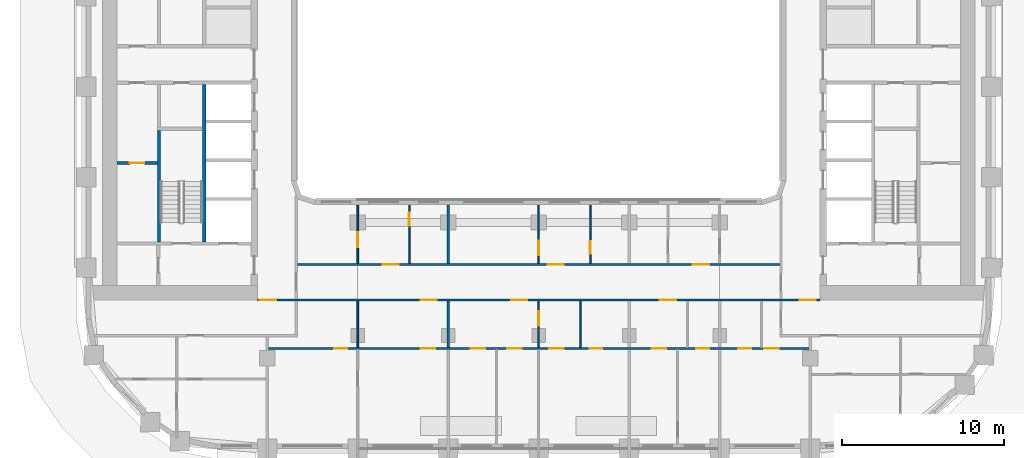
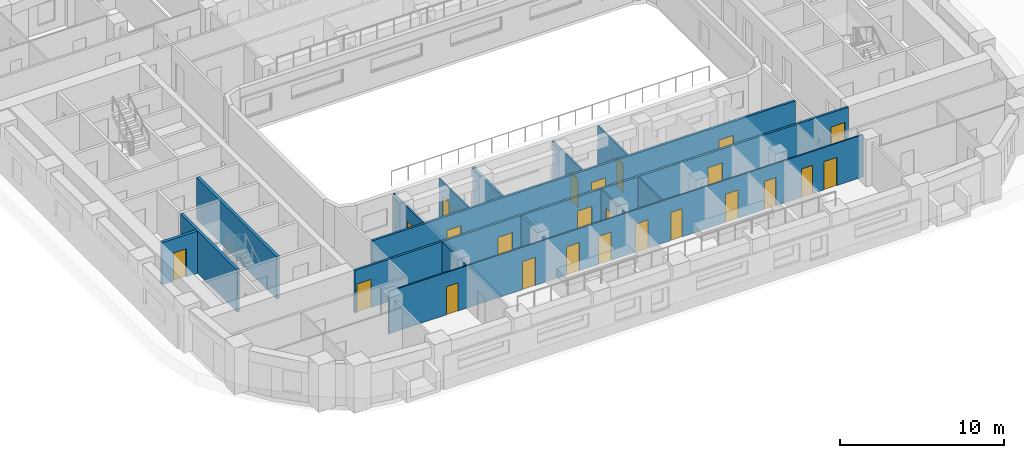
# One storey, part 4 of 18: 24 doors, 15 walls, 24 openings.
"""IFC4 building model written with IfcOpenShell, lengths in metres."""

from ifc_helpers import new_model, si_unit, direction, frame, frame_2d, origin, place, context, subcontext, project, spatial, rectangle, extrude, material, layer, layer_set, type_object, element, fill, save


model = new_model("IFC4")

# Units and contexts
model_context = context("Model", 3, precision=1e-05, world=origin(), true_north=direction((0.0, 1.0)))
body_context = subcontext(model_context, "Body", "Model", "MODEL_VIEW")
ifc_project = project(units=[si_unit("LENGTHUNIT", "METRE"), si_unit("AREAUNIT", "SQUARE_METRE"), si_unit("VOLUMEUNIT", "CUBIC_METRE"), si_unit("PLANEANGLEUNIT", "RADIAN"), si_unit("MASSUNIT", "GRAM", prefix="KILO")], contexts=[model_context])

# Site, building, storey
site_placement = place(None, origin())
site = spatial("IfcSite", under=ifc_project, at=site_placement, CompositionType="ELEMENT")
building_placement = place(site_placement, origin())
building = spatial("IfcBuilding", under=site, at=building_placement, Name="Kiln Ring Residences", CompositionType="ELEMENT")
storey_placement = place(building_placement, frame((0.0, 0.0, 121.800048828125)))
storey = spatial("IfcBuildingStorey", under=building, at=storey_placement, Name="L31", CompositionType="ELEMENT", Elevation=121.800048828125)

# Wall, opening, door
ifc_material_1 = material(Name="Gypsum board on steel studs", Category="steel")
ifc_layer_1 = layer(ifc_material_1, 0.199951171875)
ifc_layer_set_1 = layer_set([ifc_layer_1], Name="CORE-PARTITION-200")
wall_type_1 = type_object("IfcWallType", Name="CORE-PARTITION-200", PredefinedType="PARTITIONING", material=ifc_layer_set_1)
wall_1_placement = place(storey_placement, frame((-23.60009765625, -4.72509765625, 0.0), z_axis=(0.0, 0.0, 1.0), x_axis=(-1.0, 0.0, 0.0)))
wall_1 = element("IfcWall", 1, at=wall_1_placement, inside=storey, type_object=wall_type_1, Name="Core partition west L31 5", PredefinedType="PARTITIONING", context=body_context, shape_type="SweptSolid", body=[
    extrude(rectangle(XDim=2.5, YDim=0.199951171875, at=frame_2d((1.25, 0.0))), origin(), (0.0, 0.0, 1.0), 3.14990234375),
])
opening_1_placement = place(wall_1_placement, frame((0.800048828125, 0.0, 0.0)))
opening_1 = element("IfcOpeningElement", 2, at=opening_1_placement, cuts=wall_1, Name="Opening L31-CW14", PredefinedType="OPENING", context=body_context, shape_type="SweptSolid", body=[
    extrude(rectangle(XDim=0.89990234375, YDim=2.10009765625, at=frame_2d((0.449951171875, 1.050048828125))), frame((0.0, 0.10986328125, 0.0), z_axis=(0.0, -1.0, 0.0), x_axis=(1.0, 0.0, 0.0)), (0.0, 0.0, 1.0), 0.219970703125),
])
ifc_material_2 = material(Name="Steel door leaf", Category="steel")
door_type_1 = type_object("IfcDoorType", Name="CORE-DOOR-ROOM", OperationType="SINGLE_SWING_LEFT", PredefinedType="DOOR", material=ifc_material_2)
door_1_placement = place(opening_1_placement, origin())
door_1 = element("IfcDoor", 3, at=door_1_placement, inside=storey, type_object=door_type_1, Name="Meter room L31-CW14", OperationType="SINGLE_SWING_LEFT", OverallHeight=2.10009765625, OverallWidth=0.89990234375, PredefinedType="DOOR", context=body_context, shape_type="SweptSolid", body=[
    extrude(rectangle(XDim=0.89990234375, YDim=2.10009765625, at=frame_2d((0.449951171875, 1.050048828125))), frame((0.0, 0.02490234375, 0.0), z_axis=(0.0, -1.0, 0.0), x_axis=(1.0, 0.0, 0.0)), (0.0, 0.0, 1.0), 0.050048828125),
])
fill(opening_1, door_1)

# Walls
ifc_material_3 = material(Name="Concrete C40/50", Category="concrete")
ifc_layer_2 = layer(ifc_material_3, 0.199951171875)
ifc_layer_set_2 = layer_set([ifc_layer_2], Name="CORE-WALL-RC200")
wall_type_2 = type_object("IfcWallType", Name="CORE-WALL-RC200", PredefinedType="SHEAR", material=ifc_layer_set_2)
wall_2_placement = place(storey_placement, frame((-20.699951171875, -9.60009765625, 0.0), z_axis=(0.0, 0.0, 1.0), x_axis=(0.0, 1.0, 0.0)))
element("IfcWall", 4, at=wall_2_placement, inside=storey, type_object=wall_type_2, Name="Core wall west L31 2", PredefinedType="SHEAR", context=body_context, shape_type="SweptSolid", body=[
    extrude(rectangle(XDim=9.75, YDim=0.199951171875, at=frame_2d((4.875, 0.0))), origin(), (0.0, 0.0, 1.0), 3.14990234375),
])
wall_3_placement = place(storey_placement, frame((-23.5, -9.60009765625, 0.0), z_axis=(0.0, 0.0, 1.0), x_axis=(0.0, 1.0, 0.0)))
element("IfcWall", 5, at=wall_3_placement, inside=storey, type_object=wall_type_2, Name="Core wall west L31 11", PredefinedType="SHEAR", context=body_context, shape_type="SweptSolid", body=[
    extrude(rectangle(XDim=6.900146484375, YDim=0.199951171875, at=frame_2d((3.4501953125, 0.0))), origin(), (0.0, 0.0, 1.0), 3.14990234375),
])

# Wall, openings, doors
ifc_material_4 = material(Name="Gypsum board on steel studs", Category="steel")
ifc_layer_3 = layer(ifc_material_4, 0.10009765625)
ifc_layer_set_3 = layer_set([ifc_layer_3], Name="PARTITION-100")
wall_type_3 = type_object("IfcWallType", Name="PARTITION-100", PredefinedType="PARTITIONING", material=ifc_layer_set_3)
wall_4_placement = place(storey_placement, frame((-16.72509765625, -16.199951171875, 0.0), z_axis=(0.0, 0.0, 1.0), x_axis=(1.0, 0.0, 0.0)))
wall_4 = element("IfcWall", 6, at=wall_4_placement, inside=storey, type_object=wall_type_3, Name="Partition 002", PredefinedType="PARTITIONING", context=body_context, shape_type="SweptSolid", body=[
    extrude(rectangle(XDim=33.4501953125, YDim=0.10009765625, at=frame_2d((16.72509765625, 0.0))), origin(), (0.0, 0.0, 1.0), 3.14990234375),
])
opening_2_placement = place(wall_4_placement, frame((4.074951171875, 0.0, 0.0)))
opening_2 = element("IfcOpeningElement", 7, at=opening_2_placement, cuts=wall_4, Name="Opening L31-D053", PredefinedType="OPENING", context=body_context, shape_type="SweptSolid", body=[
    extrude(rectangle(XDim=0.800048828125, YDim=2.10009765625, at=frame_2d((0.39990234375, 1.050048828125))), frame((0.0, 0.06005859375, 0.0), z_axis=(0.0, -1.0, 0.0), x_axis=(1.0, 0.0, 0.0)), (0.0, 0.0, 1.0), 0.1201171875),
])
opening_3_placement = place(wall_4_placement, frame((9.425048828125, 0.0, 0.0)))
opening_3 = element("IfcOpeningElement", 8, at=opening_3_placement, cuts=wall_4, Name="Opening L31-D054", PredefinedType="OPENING", context=body_context, shape_type="SweptSolid", body=[
    extrude(rectangle(XDim=0.89990234375, YDim=2.10009765625, at=frame_2d((0.449951171875, 1.050048828125))), frame((0.0, 0.06005859375, 0.0), z_axis=(0.0, -1.0, 0.0), x_axis=(1.0, 0.0, 0.0)), (0.0, 0.0, 1.0), 0.1201171875),
])
opening_4_placement = place(wall_4_placement, frame((19.875, 0.0, 0.0)))
opening_4 = element("IfcOpeningElement", 9, at=opening_4_placement, cuts=wall_4, Name="Opening L31-D058", PredefinedType="OPENING", context=body_context, shape_type="SweptSolid", body=[
    extrude(rectangle(XDim=0.800048828125, YDim=2.10009765625, at=frame_2d((0.39990234375, 1.050048828125))), frame((0.0, 0.06005859375, 0.0), z_axis=(0.0, -1.0, 0.0), x_axis=(1.0, 0.0, 0.0)), (0.0, 0.0, 1.0), 0.1201171875),
])
opening_5_placement = place(wall_4_placement, frame((17.375, 0.0, 0.0)))
opening_5 = element("IfcOpeningElement", 10, at=opening_5_placement, cuts=wall_4, Name="Opening L31-D059", PredefinedType="OPENING", context=body_context, shape_type="SweptSolid", body=[
    extrude(rectangle(XDim=0.89990234375, YDim=2.10009765625, at=frame_2d((0.449951171875, 1.050048828125))), frame((0.0, 0.06005859375, 0.0), z_axis=(0.0, -1.0, 0.0), x_axis=(1.0, 0.0, 0.0)), (0.0, 0.0, 1.0), 0.1201171875),
])
opening_6_placement = place(wall_4_placement, frame((12.52490234375, 0.0, 0.0)))
opening_6 = element("IfcOpeningElement", 11, at=opening_6_placement, cuts=wall_4, Name="Opening L31-D060", PredefinedType="OPENING", context=body_context, shape_type="SweptSolid", body=[
    extrude(rectangle(XDim=0.89990234375, YDim=2.10009765625, at=frame_2d((0.449951171875, 1.050048828125))), frame((0.0, 0.06005859375, 0.0), z_axis=(0.0, -1.0, 0.0), x_axis=(1.0, 0.0, 0.0)), (0.0, 0.0, 1.0), 0.1201171875),
])
opening_7_placement = place(wall_4_placement, frame((14.77490234375, 0.0, 0.0)))
opening_7 = element("IfcOpeningElement", 12, at=opening_7_placement, cuts=wall_4, Name="Opening L31-D061", PredefinedType="OPENING", context=body_context, shape_type="SweptSolid", body=[
    extrude(rectangle(XDim=0.89990234375, YDim=2.10009765625, at=frame_2d((0.449951171875, 1.050048828125))), frame((0.0, 0.06005859375, 0.0), z_axis=(0.0, -1.0, 0.0), x_axis=(1.0, 0.0, 0.0)), (0.0, 0.0, 1.0), 0.1201171875),
])
opening_8_placement = place(wall_4_placement, frame((26.47509765625, 0.0, 0.0)))
opening_8 = element("IfcOpeningElement", 13, at=opening_8_placement, cuts=wall_4, Name="Opening L31-D063", PredefinedType="OPENING", context=body_context, shape_type="SweptSolid", body=[
    extrude(rectangle(XDim=0.800048828125, YDim=2.10009765625, at=frame_2d((0.39990234375, 1.050048828125))), frame((0.0, 0.06005859375, 0.0), z_axis=(0.0, -1.0, 0.0), x_axis=(1.0, 0.0, 0.0)), (0.0, 0.0, 1.0), 0.1201171875),
])
opening_9_placement = place(wall_4_placement, frame((23.72509765625, 0.0, 0.0)))
opening_9 = element("IfcOpeningElement", 14, at=opening_9_placement, cuts=wall_4, Name="Opening L31-D064", PredefinedType="OPENING", context=body_context, shape_type="SweptSolid", body=[
    extrude(rectangle(XDim=0.89990234375, YDim=2.10009765625, at=frame_2d((0.449951171875, 1.050048828125))), frame((0.0, 0.06005859375, 0.0), z_axis=(0.0, -1.0, 0.0), x_axis=(1.0, 0.0, 0.0)), (0.0, 0.0, 1.0), 0.1201171875),
])
opening_10_placement = place(wall_4_placement, frame((29.074951171875, 0.0, 0.0)))
opening_10 = element("IfcOpeningElement", 15, at=opening_10_placement, cuts=wall_4, Name="Opening L31-D067", PredefinedType="OPENING", context=body_context, shape_type="SweptSolid", body=[
    extrude(rectangle(XDim=0.800048828125, YDim=2.10009765625, at=frame_2d((0.39990234375, 1.050048828125))), frame((0.0, 0.06005859375, 0.0), z_axis=(0.0, -1.0, 0.0), x_axis=(1.0, 0.0, 0.0)), (0.0, 0.0, 1.0), 0.1201171875),
])
opening_11_placement = place(wall_4_placement, frame((30.675048828125, 0.0, 0.0)))
opening_11 = element("IfcOpeningElement", 16, at=opening_11_placement, cuts=wall_4, Name="Opening L31-D068", PredefinedType="OPENING", context=body_context, shape_type="SweptSolid", body=[
    extrude(rectangle(XDim=0.89990234375, YDim=2.10009765625, at=frame_2d((0.449951171875, 1.050048828125))), frame((0.0, 0.06005859375, 0.0), z_axis=(0.0, -1.0, 0.0), x_axis=(1.0, 0.0, 0.0)), (0.0, 0.0, 1.0), 0.1201171875),
])
ifc_material_5 = material(Name="Timber door leaf", Category="wood")
door_type_2 = type_object("IfcDoorType", Name="FLAT-DOOR-800-PL", OperationType="SINGLE_SWING_LEFT", PredefinedType="DOOR", material=ifc_material_5)
door_2_placement = place(opening_2_placement, origin())
door_2 = element("IfcDoor", 17, at=door_2_placement, inside=storey, type_object=door_type_2, Name="Door L31-D053", OperationType="SINGLE_SWING_LEFT", OverallHeight=2.10009765625, OverallWidth=0.800048828125, PredefinedType="DOOR", context=body_context, shape_type="SweptSolid", body=[
    extrude(rectangle(XDim=0.800048828125, YDim=2.10009765625, at=frame_2d((0.39990234375, 1.050048828125))), frame((0.0, 0.02490234375, 0.0), z_axis=(0.0, -1.0, 0.0), x_axis=(1.0, 0.0, 0.0)), (0.0, 0.0, 1.0), 0.050048828125),
])
fill(opening_2, door_2)
door_3_placement = place(opening_4_placement, origin())
door_3 = element("IfcDoor", 18, at=door_3_placement, inside=storey, type_object=door_type_2, Name="Door L31-D058", OperationType="SINGLE_SWING_RIGHT", OverallHeight=2.10009765625, OverallWidth=0.800048828125, PredefinedType="DOOR", context=body_context, shape_type="SweptSolid", body=[
    extrude(rectangle(XDim=0.800048828125, YDim=2.10009765625, at=frame_2d((0.39990234375, 1.050048828125))), frame((0.0, 0.02490234375, 0.0), z_axis=(0.0, -1.0, 0.0), x_axis=(1.0, 0.0, 0.0)), (0.0, 0.0, 1.0), 0.050048828125),
])
fill(opening_4, door_3)
door_4_placement = place(opening_8_placement, origin())
door_4 = element("IfcDoor", 19, at=door_4_placement, inside=storey, type_object=door_type_2, Name="Door L31-D063", OperationType="SINGLE_SWING_LEFT", OverallHeight=2.10009765625, OverallWidth=0.800048828125, PredefinedType="DOOR", context=body_context, shape_type="SweptSolid", body=[
    extrude(rectangle(XDim=0.800048828125, YDim=2.10009765625, at=frame_2d((0.39990234375, 1.050048828125))), frame((0.0, 0.02490234375, 0.0), z_axis=(0.0, -1.0, 0.0), x_axis=(1.0, 0.0, 0.0)), (0.0, 0.0, 1.0), 0.050048828125),
])
fill(opening_8, door_4)
door_5_placement = place(opening_10_placement, origin())
door_5 = element("IfcDoor", 20, at=door_5_placement, inside=storey, type_object=door_type_2, Name="Door L31-D067", OperationType="SINGLE_SWING_LEFT", OverallHeight=2.10009765625, OverallWidth=0.800048828125, PredefinedType="DOOR", context=body_context, shape_type="SweptSolid", body=[
    extrude(rectangle(XDim=0.800048828125, YDim=2.10009765625, at=frame_2d((0.39990234375, 1.050048828125))), frame((0.0, 0.02490234375, 0.0), z_axis=(0.0, -1.0, 0.0), x_axis=(1.0, 0.0, 0.0)), (0.0, 0.0, 1.0), 0.050048828125),
])
fill(opening_10, door_5)
ifc_material_6 = material(Name="Timber door leaf", Category="wood")
door_type_3 = type_object("IfcDoorType", Name="FLAT-DOOR-900-PL", OperationType="SINGLE_SWING_LEFT", PredefinedType="DOOR", material=ifc_material_6)
door_6_placement = place(opening_3_placement, origin())
door_6 = element("IfcDoor", 21, at=door_6_placement, inside=storey, type_object=door_type_3, Name="Door L31-D054", OperationType="SINGLE_SWING_RIGHT", OverallHeight=2.10009765625, OverallWidth=0.89990234375, PredefinedType="DOOR", context=body_context, shape_type="SweptSolid", body=[
    extrude(rectangle(XDim=0.89990234375, YDim=2.10009765625, at=frame_2d((0.449951171875, 1.050048828125))), frame((0.0, 0.02490234375, 0.0), z_axis=(0.0, -1.0, 0.0), x_axis=(1.0, 0.0, 0.0)), (0.0, 0.0, 1.0), 0.050048828125),
])
fill(opening_3, door_6)
door_7_placement = place(opening_5_placement, origin())
door_7 = element("IfcDoor", 22, at=door_7_placement, inside=storey, type_object=door_type_3, Name="Door L31-D059", OperationType="SINGLE_SWING_LEFT", OverallHeight=2.10009765625, OverallWidth=0.89990234375, PredefinedType="DOOR", context=body_context, shape_type="SweptSolid", body=[
    extrude(rectangle(XDim=0.89990234375, YDim=2.10009765625, at=frame_2d((0.449951171875, 1.050048828125))), frame((0.0, 0.02490234375, 0.0), z_axis=(0.0, -1.0, 0.0), x_axis=(1.0, 0.0, 0.0)), (0.0, 0.0, 1.0), 0.050048828125),
])
fill(opening_5, door_7)
door_8_placement = place(opening_6_placement, origin())
door_8 = element("IfcDoor", 23, at=door_8_placement, inside=storey, type_object=door_type_3, Name="Door L31-D060", OperationType="SINGLE_SWING_RIGHT", OverallHeight=2.10009765625, OverallWidth=0.89990234375, PredefinedType="DOOR", context=body_context, shape_type="SweptSolid", body=[
    extrude(rectangle(XDim=0.89990234375, YDim=2.10009765625, at=frame_2d((0.449951171875, 1.050048828125))), frame((0.0, 0.02490234375, 0.0), z_axis=(0.0, -1.0, 0.0), x_axis=(1.0, 0.0, 0.0)), (0.0, 0.0, 1.0), 0.050048828125),
])
fill(opening_6, door_8)
door_9_placement = place(opening_7_placement, origin())
door_9 = element("IfcDoor", 24, at=door_9_placement, inside=storey, type_object=door_type_3, Name="Door L31-D061", OperationType="SINGLE_SWING_LEFT", OverallHeight=2.10009765625, OverallWidth=0.89990234375, PredefinedType="DOOR", context=body_context, shape_type="SweptSolid", body=[
    extrude(rectangle(XDim=0.89990234375, YDim=2.10009765625, at=frame_2d((0.449951171875, 1.050048828125))), frame((0.0, 0.02490234375, 0.0), z_axis=(0.0, -1.0, 0.0), x_axis=(1.0, 0.0, 0.0)), (0.0, 0.0, 1.0), 0.050048828125),
])
fill(opening_7, door_9)
door_10_placement = place(opening_9_placement, origin())
door_10 = element("IfcDoor", 25, at=door_10_placement, inside=storey, type_object=door_type_3, Name="Door L31-D064", OperationType="SINGLE_SWING_RIGHT", OverallHeight=2.10009765625, OverallWidth=0.89990234375, PredefinedType="DOOR", context=body_context, shape_type="SweptSolid", body=[
    extrude(rectangle(XDim=0.89990234375, YDim=2.10009765625, at=frame_2d((0.449951171875, 1.050048828125))), frame((0.0, 0.02490234375, 0.0), z_axis=(0.0, -1.0, 0.0), x_axis=(1.0, 0.0, 0.0)), (0.0, 0.0, 1.0), 0.050048828125),
])
fill(opening_9, door_10)
door_11_placement = place(opening_11_placement, origin())
door_11 = element("IfcDoor", 26, at=door_11_placement, inside=storey, type_object=door_type_3, Name="Door L31-D068", OperationType="SINGLE_SWING_LEFT", OverallHeight=2.10009765625, OverallWidth=0.89990234375, PredefinedType="DOOR", context=body_context, shape_type="SweptSolid", body=[
    extrude(rectangle(XDim=0.89990234375, YDim=2.10009765625, at=frame_2d((0.449951171875, 1.050048828125))), frame((0.0, 0.02490234375, 0.0), z_axis=(0.0, -1.0, 0.0), x_axis=(1.0, 0.0, 0.0)), (0.0, 0.0, 1.0), 0.050048828125),
])
fill(opening_11, door_11)

# Wall
wall_5_placement = place(storey_placement, frame((-11.199951171875, -16.14990234375, 0.0), z_axis=(0.0, 0.0, 1.0), x_axis=(0.0, 1.0, 0.0)))
element("IfcWall", 27, at=wall_5_placement, inside=storey, type_object=wall_type_3, Name="Partition 026", PredefinedType="PARTITIONING", context=body_context, shape_type="SweptSolid", body=[
    extrude(rectangle(XDim=2.875, YDim=0.10009765625, at=frame_2d((1.4375, 0.0))), origin(), (0.0, 0.0, 1.0), 3.14990234375),
])

# Wall, opening, door
wall_6_placement = place(storey_placement, frame((-11.199951171875, -10.925048828125, 0.0), z_axis=(0.0, 0.0, 1.0), x_axis=(0.0, 1.0, 0.0)))
wall_6 = element("IfcWall", 28, at=wall_6_placement, inside=storey, type_object=wall_type_3, Name="Partition 027", PredefinedType="PARTITIONING", context=body_context, shape_type="SweptSolid", body=[
    extrude(rectangle(XDim=3.60498046875, YDim=0.10009765625, at=frame_2d((1.802490234375, 0.0))), origin(), (0.0, 0.0, 1.0), 3.14990234375),
])
opening_12_placement = place(wall_6_placement, frame((1.0048828125, 0.0, 0.0)))
opening_12 = element("IfcOpeningElement", 29, at=opening_12_placement, cuts=wall_6, Name="Opening L31-D045", PredefinedType="OPENING", context=body_context, shape_type="SweptSolid", body=[
    extrude(rectangle(XDim=0.89990234375, YDim=2.10009765625, at=frame_2d((0.449951171875, 1.050048828125))), frame((0.0, 0.06005859375, 0.0), z_axis=(0.0, -1.0, 0.0), x_axis=(1.0, 0.0, 0.0)), (0.0, 0.0, 1.0), 0.1201171875),
])
door_12_placement = place(opening_12_placement, origin())
door_12 = element("IfcDoor", 30, at=door_12_placement, inside=storey, type_object=door_type_3, Name="Door L31-D045", OperationType="SINGLE_SWING_RIGHT", OverallHeight=2.10009765625, OverallWidth=0.89990234375, PredefinedType="DOOR", context=body_context, shape_type="SweptSolid", body=[
    extrude(rectangle(XDim=0.89990234375, YDim=2.10009765625, at=frame_2d((0.449951171875, 1.050048828125))), frame((0.0, 0.02490234375, 0.0), z_axis=(0.0, -1.0, 0.0), x_axis=(1.0, 0.0, 0.0)), (0.0, 0.0, 1.0), 0.050048828125),
])
fill(opening_12, door_12)

wall_7_placement = place(storey_placement, frame((-8.0, -10.925048828125, 0.0), z_axis=(0.0, 0.0, 1.0), x_axis=(0.0, 1.0, 0.0)))
wall_7 = element("IfcWall", 31, at=wall_7_placement, inside=storey, type_object=wall_type_3, Name="Partition 032", PredefinedType="PARTITIONING", context=body_context, shape_type="SweptSolid", body=[
    extrude(rectangle(XDim=3.60498046875, YDim=0.10009765625, at=frame_2d((1.802490234375, 0.0))), origin(), (0.0, 0.0, 1.0), 3.14990234375),
])
opening_13_placement = place(wall_7_placement, frame((2.325927734375, 0.0, 0.0)))
opening_13 = element("IfcOpeningElement", 32, at=opening_13_placement, cuts=wall_7, Name="Opening L31-D044", PredefinedType="OPENING", context=body_context, shape_type="SweptSolid", body=[
    extrude(rectangle(XDim=0.800048828125, YDim=2.10009765625, at=frame_2d((0.39990234375, 1.050048828125))), frame((0.0, 0.06005859375, 0.0), z_axis=(0.0, -1.0, 0.0), x_axis=(1.0, 0.0, 0.0)), (0.0, 0.0, 1.0), 0.1201171875),
])
door_13_placement = place(opening_13_placement, origin())
door_13 = element("IfcDoor", 33, at=door_13_placement, inside=storey, type_object=door_type_2, Name="Door L31-D044", OperationType="SINGLE_SWING_RIGHT", OverallHeight=2.10009765625, OverallWidth=0.800048828125, PredefinedType="DOOR", context=body_context, shape_type="SweptSolid", body=[
    extrude(rectangle(XDim=0.800048828125, YDim=2.10009765625, at=frame_2d((0.39990234375, 1.050048828125))), frame((0.0, 0.02490234375, 0.0), z_axis=(0.0, -1.0, 0.0), x_axis=(1.0, 0.0, 0.0)), (0.0, 0.0, 1.0), 0.050048828125),
])
fill(opening_13, door_13)

wall_8_placement = place(storey_placement, frame((0.0, -16.14990234375, 0.0), z_axis=(0.0, 0.0, 1.0), x_axis=(0.0, 1.0, 0.0)))
wall_8 = element("IfcWall", 34, at=wall_8_placement, inside=storey, type_object=wall_type_3, Name="Partition 042", PredefinedType="PARTITIONING", context=body_context, shape_type="SweptSolid", body=[
    extrude(rectangle(XDim=2.875, YDim=0.10009765625, at=frame_2d((1.4375, 0.0))), origin(), (0.0, 0.0, 1.0), 3.14990234375),
])
opening_14_placement = place(wall_8_placement, frame((1.35009765625, 0.0, 0.0)))
opening_14 = element("IfcOpeningElement", 35, at=opening_14_placement, cuts=wall_8, Name="Opening L31-D057", PredefinedType="OPENING", context=body_context, shape_type="SweptSolid", body=[
    extrude(rectangle(XDim=0.89990234375, YDim=2.10009765625, at=frame_2d((0.449951171875, 1.050048828125))), frame((0.0, 0.06005859375, 0.0), z_axis=(0.0, -1.0, 0.0), x_axis=(1.0, 0.0, 0.0)), (0.0, 0.0, 1.0), 0.1201171875),
])
door_14_placement = place(opening_14_placement, origin())
door_14 = element("IfcDoor", 36, at=door_14_placement, inside=storey, type_object=door_type_3, Name="Door L31-D057", OperationType="SINGLE_SWING_RIGHT", OverallHeight=2.10009765625, OverallWidth=0.89990234375, PredefinedType="DOOR", context=body_context, shape_type="SweptSolid", body=[
    extrude(rectangle(XDim=0.89990234375, YDim=2.10009765625, at=frame_2d((0.449951171875, 1.050048828125))), frame((0.0, 0.02490234375, 0.0), z_axis=(0.0, -1.0, 0.0), x_axis=(1.0, 0.0, 0.0)), (0.0, 0.0, 1.0), 0.050048828125),
])
fill(opening_14, door_14)

wall_9_placement = place(storey_placement, frame((0.0, -10.925048828125, 0.0), z_axis=(0.0, 0.0, 1.0), x_axis=(0.0, 1.0, 0.0)))
wall_9 = element("IfcWall", 37, at=wall_9_placement, inside=storey, type_object=wall_type_3, Name="Partition 043", PredefinedType="PARTITIONING", context=body_context, shape_type="SweptSolid", body=[
    extrude(rectangle(XDim=3.60498046875, YDim=0.10009765625, at=frame_2d((1.802490234375, 0.0))), origin(), (0.0, 0.0, 1.0), 3.14990234375),
])
opening_15_placement = place(wall_9_placement, frame((0.5048828125, 0.0, 0.0)))
opening_15 = element("IfcOpeningElement", 38, at=opening_15_placement, cuts=wall_9, Name="Opening L31-D048", PredefinedType="OPENING", context=body_context, shape_type="SweptSolid", body=[
    extrude(rectangle(XDim=0.89990234375, YDim=2.10009765625, at=frame_2d((0.449951171875, 1.050048828125))), frame((0.0, 0.06005859375, 0.0), z_axis=(0.0, -1.0, 0.0), x_axis=(1.0, 0.0, 0.0)), (0.0, 0.0, 1.0), 0.1201171875),
])
door_15_placement = place(opening_15_placement, origin())
door_15 = element("IfcDoor", 39, at=door_15_placement, inside=storey, type_object=door_type_3, Name="Door L31-D048", OperationType="SINGLE_SWING_RIGHT", OverallHeight=2.10009765625, OverallWidth=0.89990234375, PredefinedType="DOOR", context=body_context, shape_type="SweptSolid", body=[
    extrude(rectangle(XDim=0.89990234375, YDim=2.10009765625, at=frame_2d((0.449951171875, 1.050048828125))), frame((0.0, 0.02490234375, 0.0), z_axis=(0.0, -1.0, 0.0), x_axis=(1.0, 0.0, 0.0)), (0.0, 0.0, 1.0), 0.050048828125),
])
fill(opening_15, door_15)

# Wall
wall_10_placement = place(storey_placement, frame((2.60009765625, -16.14990234375, 0.0), z_axis=(0.0, 0.0, 1.0), x_axis=(0.0, 1.0, 0.0)))
element("IfcWall", 40, at=wall_10_placement, inside=storey, type_object=wall_type_3, Name="Partition 047", PredefinedType="PARTITIONING", context=body_context, shape_type="SweptSolid", body=[
    extrude(rectangle(XDim=2.875, YDim=0.10009765625, at=frame_2d((1.4375, 0.0))), origin(), (0.0, 0.0, 1.0), 3.14990234375),
])

# Wall, opening, door
wall_11_placement = place(storey_placement, frame((3.199951171875, -10.925048828125, 0.0), z_axis=(0.0, 0.0, 1.0), x_axis=(0.0, 1.0, 0.0)))
wall_11 = element("IfcWall", 41, at=wall_11_placement, inside=storey, type_object=wall_type_3, Name="Partition 048", PredefinedType="PARTITIONING", context=body_context, shape_type="SweptSolid", body=[
    extrude(rectangle(XDim=3.60498046875, YDim=0.10009765625, at=frame_2d((1.802490234375, 0.0))), origin(), (0.0, 0.0, 1.0), 3.14990234375),
])
opening_16_placement = place(wall_11_placement, frame((0.575927734375, 0.0, 0.0)))
opening_16 = element("IfcOpeningElement", 42, at=opening_16_placement, cuts=wall_11, Name="Opening L31-D047", PredefinedType="OPENING", context=body_context, shape_type="SweptSolid", body=[
    extrude(rectangle(XDim=0.800048828125, YDim=2.10009765625, at=frame_2d((0.39990234375, 1.050048828125))), frame((0.0, 0.06005859375, 0.0), z_axis=(0.0, -1.0, 0.0), x_axis=(1.0, 0.0, 0.0)), (0.0, 0.0, 1.0), 0.1201171875),
])
door_16_placement = place(opening_16_placement, origin())
door_16 = element("IfcDoor", 43, at=door_16_placement, inside=storey, type_object=door_type_2, Name="Door L31-D047", OperationType="SINGLE_SWING_LEFT", OverallHeight=2.10009765625, OverallWidth=0.800048828125, PredefinedType="DOOR", context=body_context, shape_type="SweptSolid", body=[
    extrude(rectangle(XDim=0.800048828125, YDim=2.10009765625, at=frame_2d((0.39990234375, 1.050048828125))), frame((0.0, 0.02490234375, 0.0), z_axis=(0.0, -1.0, 0.0), x_axis=(1.0, 0.0, 0.0)), (0.0, 0.0, 1.0), 0.050048828125),
])
fill(opening_16, door_16)

# Wall, openings, doors
ifc_material_7 = material(Name="Brick masonry partition", Category="masonry")
ifc_layer_4 = layer(ifc_material_7, 0.14990234375)
ifc_layer_set_4 = layer_set([ifc_layer_4], Name="PARTITION-150-ei60")
wall_type_4 = type_object("IfcWallType", Name="PARTITION-150-ei60", PredefinedType="PARTITIONING", material=ifc_layer_set_4)
wall_12_placement = place(storey_placement, frame((-17.39990234375, -13.199951171875, 0.0), z_axis=(0.0, 0.0, 1.0), x_axis=(1.0, 0.0, 0.0)))
wall_12 = element("IfcWall", 44, at=wall_12_placement, inside=storey, type_object=wall_type_4, Name="Partition 005", PredefinedType="PARTITIONING", context=body_context, shape_type="SweptSolid", body=[
    extrude(rectangle(XDim=34.7998046875, YDim=0.14990234375, at=frame_2d((17.39990234375, 0.0))), origin(), (0.0, 0.0, 1.0), 3.14990234375),
])
opening_17_placement = place(wall_12_placement, frame((0.14990234375, 0.0, 0.0)))
opening_17 = element("IfcOpeningElement", 45, at=opening_17_placement, cuts=wall_12, Name="Opening L31-D007", PredefinedType="OPENING", context=body_context, shape_type="SweptSolid", body=[
    extrude(rectangle(XDim=1.0, YDim=2.10009765625, at=frame_2d((0.5, 1.050048828125))), frame((0.0, 0.0849609375, 0.0), z_axis=(0.0, -1.0, 0.0), x_axis=(1.0, 0.0, 0.0)), (0.0, 0.0, 1.0), 0.169921875),
])
opening_18_placement = place(wall_12_placement, frame((33.550048828125, 0.0, 0.0)))
opening_18 = element("IfcOpeningElement", 46, at=opening_18_placement, cuts=wall_12, Name="Opening L31-D008", PredefinedType="OPENING", context=body_context, shape_type="SweptSolid", body=[
    extrude(rectangle(XDim=1.0, YDim=2.10009765625, at=frame_2d((0.5, 1.050048828125))), frame((0.0, 0.0849609375, 0.0), z_axis=(0.0, -1.0, 0.0), x_axis=(1.0, 0.0, 0.0)), (0.0, 0.0, 1.0), 0.169921875),
])
opening_19_placement = place(wall_12_placement, frame((10.10009765625, 0.0, 0.0)))
opening_19 = element("IfcOpeningElement", 47, at=opening_19_placement, cuts=wall_12, Name="Opening L31-D052", PredefinedType="OPENING", context=body_context, shape_type="SweptSolid", body=[
    extrude(rectangle(XDim=1.0, YDim=2.10009765625, at=frame_2d((0.5, 1.050048828125))), frame((0.0, 0.0849609375, 0.0), z_axis=(0.0, -1.0, 0.0), x_axis=(1.0, 0.0, 0.0)), (0.0, 0.0, 1.0), 0.169921875),
])
opening_20_placement = place(wall_12_placement, frame((15.699951171875, 0.0, 0.0)))
opening_20 = element("IfcOpeningElement", 48, at=opening_20_placement, cuts=wall_12, Name="Opening L31-D056", PredefinedType="OPENING", context=body_context, shape_type="SweptSolid", body=[
    extrude(rectangle(XDim=1.0, YDim=2.10009765625, at=frame_2d((0.5, 1.050048828125))), frame((0.0, 0.0849609375, 0.0), z_axis=(0.0, -1.0, 0.0), x_axis=(1.0, 0.0, 0.0)), (0.0, 0.0, 1.0), 0.169921875),
])
opening_21_placement = place(wall_12_placement, frame((24.89990234375, 0.0, 0.0)))
opening_21 = element("IfcOpeningElement", 49, at=opening_21_placement, cuts=wall_12, Name="Opening L31-D062", PredefinedType="OPENING", context=body_context, shape_type="SweptSolid", body=[
    extrude(rectangle(XDim=1.0, YDim=2.10009765625, at=frame_2d((0.5, 1.050048828125))), frame((0.0, 0.0849609375, 0.0), z_axis=(0.0, -1.0, 0.0), x_axis=(1.0, 0.0, 0.0)), (0.0, 0.0, 1.0), 0.169921875),
])
ifc_material_8 = material(Name="Steel faced fire door leaf", Category="steel")
door_type_4 = type_object("IfcDoorType", Name="FLAT-DOOR-1000-FR", OperationType="SINGLE_SWING_LEFT", PredefinedType="DOOR", material=ifc_material_8)
door_17_placement = place(opening_17_placement, origin())
door_17 = element("IfcDoor", 50, at=door_17_placement, inside=storey, type_object=door_type_4, Name="Door L31-D007", OperationType="SINGLE_SWING_RIGHT", OverallHeight=2.10009765625, OverallWidth=1.0, PredefinedType="DOOR", context=body_context, shape_type="SweptSolid", body=[
    extrude(rectangle(XDim=1.0, YDim=2.10009765625, at=frame_2d((0.5, 1.050048828125))), frame((0.0, 0.02490234375, 0.0), z_axis=(0.0, -1.0, 0.0), x_axis=(1.0, 0.0, 0.0)), (0.0, 0.0, 1.0), 0.050048828125),
])
fill(opening_17, door_17)
door_18_placement = place(opening_18_placement, origin())
door_18 = element("IfcDoor", 51, at=door_18_placement, inside=storey, type_object=door_type_4, Name="Door L31-D008", OperationType="SINGLE_SWING_LEFT", OverallHeight=2.10009765625, OverallWidth=1.0, PredefinedType="DOOR", context=body_context, shape_type="SweptSolid", body=[
    extrude(rectangle(XDim=1.0, YDim=2.10009765625, at=frame_2d((0.5, 1.050048828125))), frame((0.0, 0.02490234375, 0.0), z_axis=(0.0, -1.0, 0.0), x_axis=(1.0, 0.0, 0.0)), (0.0, 0.0, 1.0), 0.050048828125),
])
fill(opening_18, door_18)
door_19_placement = place(opening_19_placement, origin())
door_19 = element("IfcDoor", 52, at=door_19_placement, inside=storey, type_object=door_type_4, Name="Door L31-D052", OperationType="SINGLE_SWING_RIGHT", OverallHeight=2.10009765625, OverallWidth=1.0, PredefinedType="DOOR", context=body_context, shape_type="SweptSolid", body=[
    extrude(rectangle(XDim=1.0, YDim=2.10009765625, at=frame_2d((0.5, 1.050048828125))), frame((0.0, 0.02490234375, 0.0), z_axis=(0.0, -1.0, 0.0), x_axis=(1.0, 0.0, 0.0)), (0.0, 0.0, 1.0), 0.050048828125),
])
fill(opening_19, door_19)
door_20_placement = place(opening_20_placement, origin())
door_20 = element("IfcDoor", 53, at=door_20_placement, inside=storey, type_object=door_type_4, Name="Door L31-D056", OperationType="SINGLE_SWING_RIGHT", OverallHeight=2.10009765625, OverallWidth=1.0, PredefinedType="DOOR", context=body_context, shape_type="SweptSolid", body=[
    extrude(rectangle(XDim=1.0, YDim=2.10009765625, at=frame_2d((0.5, 1.050048828125))), frame((0.0, 0.02490234375, 0.0), z_axis=(0.0, -1.0, 0.0), x_axis=(1.0, 0.0, 0.0)), (0.0, 0.0, 1.0), 0.050048828125),
])
fill(opening_20, door_20)
door_21_placement = place(opening_21_placement, origin())
door_21 = element("IfcDoor", 54, at=door_21_placement, inside=storey, type_object=door_type_4, Name="Door L31-D062", OperationType="SINGLE_SWING_RIGHT", OverallHeight=2.10009765625, OverallWidth=1.0, PredefinedType="DOOR", context=body_context, shape_type="SweptSolid", body=[
    extrude(rectangle(XDim=1.0, YDim=2.10009765625, at=frame_2d((0.5, 1.050048828125))), frame((0.0, 0.02490234375, 0.0), z_axis=(0.0, -1.0, 0.0), x_axis=(1.0, 0.0, 0.0)), (0.0, 0.0, 1.0), 0.050048828125),
])
fill(opening_21, door_21)

wall_13_placement = place(storey_placement, frame((-14.925048828125, -11.0, 0.0), z_axis=(0.0, 0.0, 1.0), x_axis=(1.0, 0.0, 0.0)))
wall_13 = element("IfcWall", 55, at=wall_13_placement, inside=storey, type_object=wall_type_4, Name="Partition 006", PredefinedType="PARTITIONING", context=body_context, shape_type="SweptSolid", body=[
    extrude(rectangle(XDim=29.85009765625, YDim=0.14990234375, at=frame_2d((14.925048828125, 0.0))), origin(), (0.0, 0.0, 1.0), 3.14990234375),
])
opening_22_placement = place(wall_13_placement, frame((5.27490234375, 0.0, 0.0)))
opening_22 = element("IfcOpeningElement", 56, at=opening_22_placement, cuts=wall_13, Name="Opening L31-D043", PredefinedType="OPENING", context=body_context, shape_type="SweptSolid", body=[
    extrude(rectangle(XDim=1.0, YDim=2.10009765625, at=frame_2d((0.5, 1.050048828125))), frame((0.0, 0.0849609375, 0.0), z_axis=(0.0, -1.0, 0.0), x_axis=(1.0, 0.0, 0.0)), (0.0, 0.0, 1.0), 0.169921875),
])
opening_23_placement = place(wall_13_placement, frame((15.47509765625, 0.0, 0.0)))
opening_23 = element("IfcOpeningElement", 57, at=opening_23_placement, cuts=wall_13, Name="Opening L31-D046", PredefinedType="OPENING", context=body_context, shape_type="SweptSolid", body=[
    extrude(rectangle(XDim=1.0, YDim=2.10009765625, at=frame_2d((0.5, 1.050048828125))), frame((0.0, 0.0849609375, 0.0), z_axis=(0.0, -1.0, 0.0), x_axis=(1.0, 0.0, 0.0)), (0.0, 0.0, 1.0), 0.169921875),
])
opening_24_placement = place(wall_13_placement, frame((24.47509765625, 0.0, 0.0)))
opening_24 = element("IfcOpeningElement", 58, at=opening_24_placement, cuts=wall_13, Name="Opening L31-D049", PredefinedType="OPENING", context=body_context, shape_type="SweptSolid", body=[
    extrude(rectangle(XDim=1.0, YDim=2.10009765625, at=frame_2d((0.5, 1.050048828125))), frame((0.0, 0.0849609375, 0.0), z_axis=(0.0, -1.0, 0.0), x_axis=(1.0, 0.0, 0.0)), (0.0, 0.0, 1.0), 0.169921875),
])
door_22_placement = place(opening_22_placement, origin())
door_22 = element("IfcDoor", 59, at=door_22_placement, inside=storey, type_object=door_type_4, Name="Door L31-D043", OperationType="SINGLE_SWING_LEFT", OverallHeight=2.10009765625, OverallWidth=1.0, PredefinedType="DOOR", context=body_context, shape_type="SweptSolid", body=[
    extrude(rectangle(XDim=1.0, YDim=2.10009765625, at=frame_2d((0.5, 1.050048828125))), frame((0.0, 0.02490234375, 0.0), z_axis=(0.0, -1.0, 0.0), x_axis=(1.0, 0.0, 0.0)), (0.0, 0.0, 1.0), 0.050048828125),
])
fill(opening_22, door_22)
door_23_placement = place(opening_23_placement, origin())
door_23 = element("IfcDoor", 60, at=door_23_placement, inside=storey, type_object=door_type_4, Name="Door L31-D046", OperationType="SINGLE_SWING_RIGHT", OverallHeight=2.10009765625, OverallWidth=1.0, PredefinedType="DOOR", context=body_context, shape_type="SweptSolid", body=[
    extrude(rectangle(XDim=1.0, YDim=2.10009765625, at=frame_2d((0.5, 1.050048828125))), frame((0.0, 0.02490234375, 0.0), z_axis=(0.0, -1.0, 0.0), x_axis=(1.0, 0.0, 0.0)), (0.0, 0.0, 1.0), 0.050048828125),
])
fill(opening_23, door_23)
door_24_placement = place(opening_24_placement, origin())
door_24 = element("IfcDoor", 61, at=door_24_placement, inside=storey, type_object=door_type_4, Name="Door L31-D049", OperationType="SINGLE_SWING_LEFT", OverallHeight=2.10009765625, OverallWidth=1.0, PredefinedType="DOOR", context=body_context, shape_type="SweptSolid", body=[
    extrude(rectangle(XDim=1.0, YDim=2.10009765625, at=frame_2d((0.5, 1.050048828125))), frame((0.0, 0.02490234375, 0.0), z_axis=(0.0, -1.0, 0.0), x_axis=(1.0, 0.0, 0.0)), (0.0, 0.0, 1.0), 0.050048828125),
])
fill(opening_24, door_24)

# Walls
wall_14_placement = place(storey_placement, frame((-5.60009765625, -16.14990234375, 0.0), z_axis=(0.0, 0.0, 1.0), x_axis=(0.0, 1.0, 0.0)))
element("IfcWall", 62, at=wall_14_placement, inside=storey, type_object=wall_type_4, Name="Partition 035", PredefinedType="PARTITIONING", context=body_context, shape_type="SweptSolid", body=[
    extrude(rectangle(XDim=2.875, YDim=0.14990234375, at=frame_2d((1.4375, 0.0))), origin(), (0.0, 0.0, 1.0), 3.14990234375),
])
wall_15_placement = place(storey_placement, frame((-5.60009765625, -10.925048828125, 0.0), z_axis=(0.0, 0.0, 1.0), x_axis=(0.0, 1.0, 0.0)))
element("IfcWall", 63, at=wall_15_placement, inside=storey, type_object=wall_type_4, Name="Partition 036", PredefinedType="PARTITIONING", context=body_context, shape_type="SweptSolid", body=[
    extrude(rectangle(XDim=3.60498046875, YDim=0.14990234375, at=frame_2d((1.802490234375, 0.0))), origin(), (0.0, 0.0, 1.0), 3.14990234375),
])

save(model, "model.ifc")
